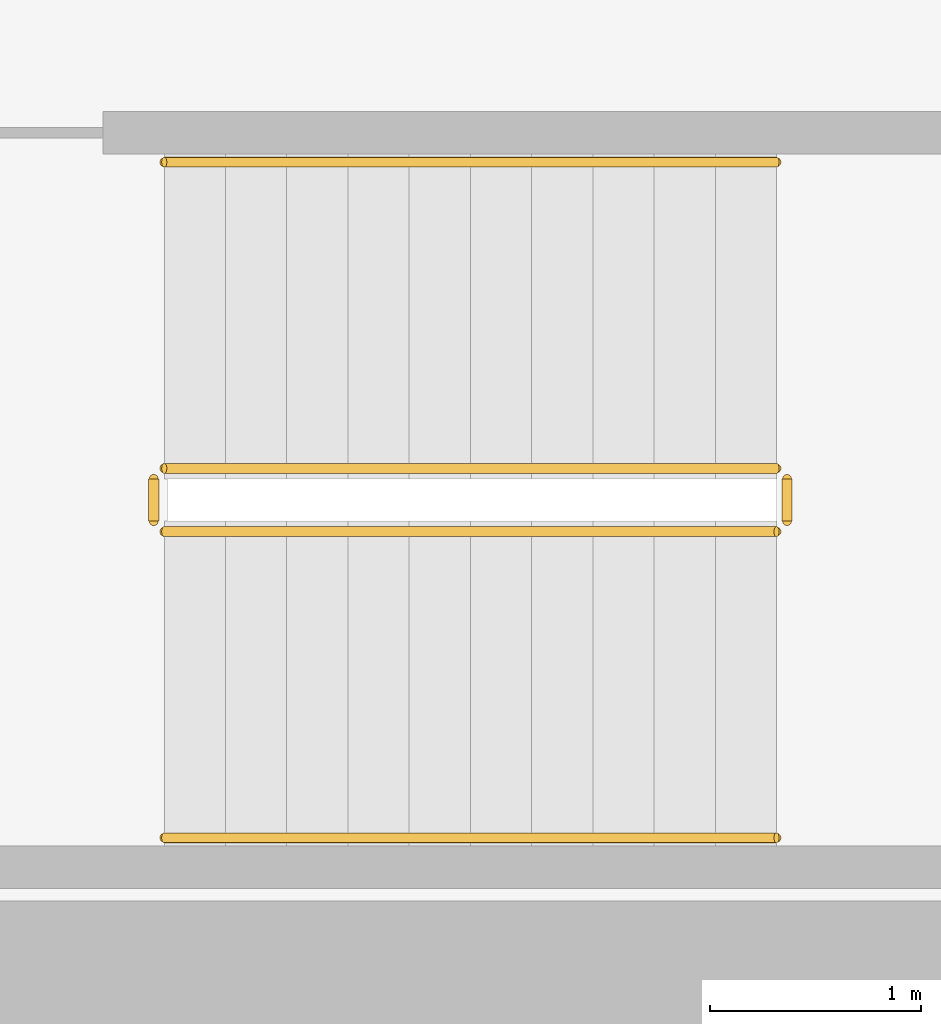
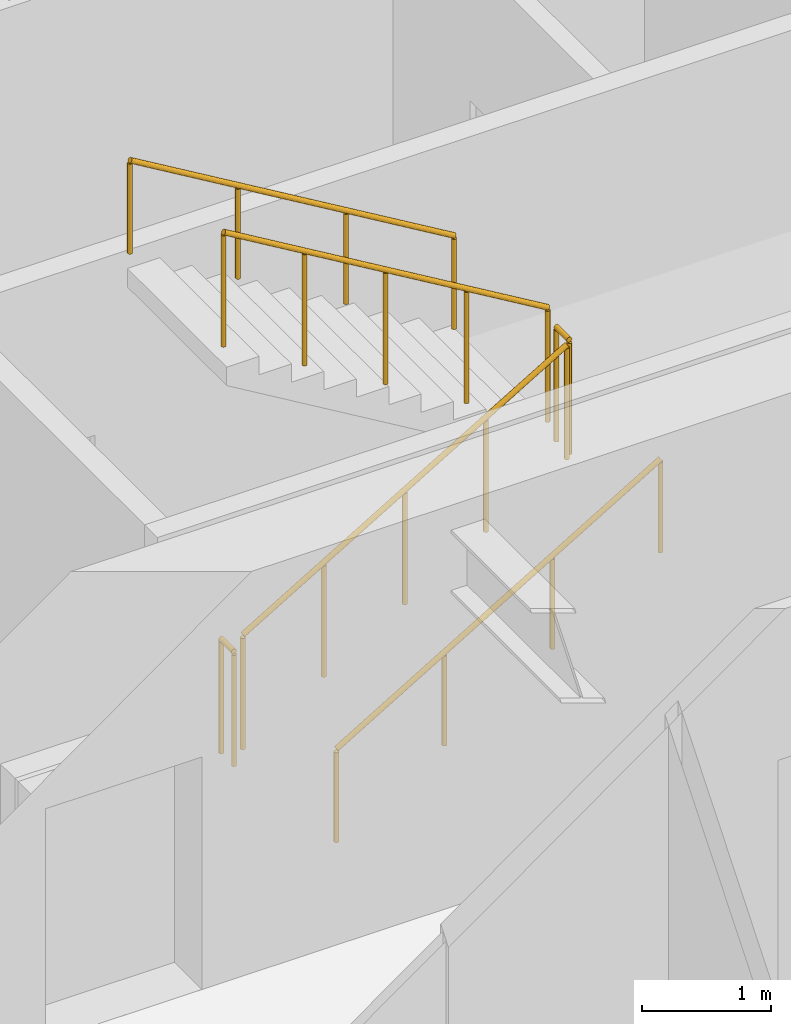
# One storey, part 19 of 20: 6 railings.
"""IFC4 building model written with IfcOpenShell, lengths in metres."""

from ifc_helpers import new_model, si_unit, direction, frame, origin, origin_2d, place, context, subcontext, project, spatial, circle, extrude, material, type_object, element, save


model = new_model("IFC4")

# Units and contexts
model_context = context("Model", 3, precision=1e-05, world=origin(), true_north=direction((0.0, 1.0)))
body_context = subcontext(model_context, "Body", "Model", "MODEL_VIEW")
ifc_project = project(units=[si_unit("LENGTHUNIT", "METRE"), si_unit("AREAUNIT", "SQUARE_METRE"), si_unit("VOLUMEUNIT", "CUBIC_METRE"), si_unit("PLANEANGLEUNIT", "RADIAN"), si_unit("MASSUNIT", "GRAM", prefix="KILO")], contexts=[model_context])

# Site, building, storey
site_placement = place(None, origin())
site = spatial("IfcSite", under=ifc_project, at=site_placement, CompositionType="ELEMENT")
building_placement = place(site_placement, origin())
building = spatial("IfcBuilding", under=site, at=building_placement, Name="Putna Gate Headquarters", CompositionType="ELEMENT")
storey_placement = place(building_placement, frame((0.0, 0.0, 93.60009765625)))
storey = spatial("IfcBuildingStorey", under=building, at=storey_placement, Name="L22", CompositionType="ELEMENT", Elevation=93.60009765625)

# Railings
ifc_material_1 = material(Name="Powder-coated steel stair guardrail", Category="steel")
railing_type_1 = type_object("IfcRailingType", Name="RAIL-STAIR-GUARD-1100", PredefinedType="GUARDRAIL", material=ifc_material_1)
railing_1_placement = place(storey_placement, frame((57.89990234375, 21.10009765625, 0.172607421875)))
element("IfcRailing", 1, at=railing_1_placement, inside=storey, type_object=railing_type_1, Name="L22 ST2 stair guard 1", PredefinedType="GUARDRAIL", context=body_context, shape_type="SweptSolid", body=[
    extrude(circle(Radius=0.02392578125, at=origin_2d()), frame((0.0, 0.0, 1.076171875), z_axis=(0.859160404282, 0.0, 0.51170636083), x_axis=(0.0, 1.0, 0.0)), (0.0, 0.0, 1.0), 3.37548828125),
    extrude(circle(Radius=0.02099609375, at=origin_2d()), origin(), (0.0, 0.0, 1.0), 1.052001953125),
    extrude(circle(Radius=0.02099609375, at=origin_2d()), frame((0.72509765625, 0.0, 0.431884765625)), (0.0, 0.0, 1.0), 1.052001953125),
    extrude(circle(Radius=0.02099609375, at=origin_2d()), frame((1.4501953125, 0.0, 0.86376953125)), (0.0, 0.0, 1.0), 1.052001953125),
    extrude(circle(Radius=0.02099609375, at=origin_2d()), frame((2.175048828125, 0.0, 1.29541015625)), (0.0, 0.0, 1.0), 1.052001953125),
    extrude(circle(Radius=0.02099609375, at=origin_2d()), frame((2.900146484375, 0.0, 1.727294921875)), (0.0, 0.0, 1.0), 1.052001953125),
])
railing_2_placement = place(storey_placement, frame((60.85009765625, 21.14990234375, 1.89990234375)))
element("IfcRailing", 2, at=railing_2_placement, inside=storey, type_object=railing_type_1, Name="L22 ST2 stair guard 2", PredefinedType="GUARDRAIL", context=body_context, shape_type="SweptSolid", body=[
    extrude(circle(Radius=0.02392578125, at=origin_2d()), frame((0.0, 0.0, 1.076171875), z_axis=(0.0, 1.0, 0.0), x_axis=(-1.0, 0.0, 0.0)), (0.0, 0.0, 1.0), 0.2001953125),
    extrude(circle(Radius=0.02099609375, at=origin_2d()), origin(), (0.0, 0.0, 1.0), 1.052001953125),
    extrude(circle(Radius=0.02099609375, at=origin_2d()), frame((0.0, 0.2001953125, 0.0)), (0.0, 0.0, 1.0), 1.052001953125),
])
railing_3_placement = place(storey_placement, frame((60.800048828125, 21.39990234375, 2.072509765625)))
element("IfcRailing", 3, at=railing_3_placement, inside=storey, type_object=railing_type_1, Name="L22 ST2 stair guard 3", PredefinedType="GUARDRAIL", context=body_context, shape_type="SweptSolid", body=[
    extrude(circle(Radius=0.02392578125, at=origin_2d()), frame((0.0, 0.0, 1.076171875), z_axis=(-0.859160404282, 0.0, 0.51170636083), x_axis=(0.0, -1.0, 0.0)), (0.0, 0.0, 1.0), 3.37548828125),
    extrude(circle(Radius=0.02099609375, at=origin_2d()), origin(), (0.0, 0.0, 1.0), 1.052001953125),
    extrude(circle(Radius=0.02099609375, at=origin_2d()), frame((-0.72509765625, 0.0, 0.431884765625)), (0.0, 0.0, 1.0), 1.052001953125),
    extrude(circle(Radius=0.02099609375, at=origin_2d()), frame((-1.4501953125, 0.0, 0.86376953125)), (0.0, 0.0, 1.0), 1.052001953125),
    extrude(circle(Radius=0.02099609375, at=origin_2d()), frame((-2.175048828125, 0.0, 1.29541015625)), (0.0, 0.0, 1.0), 1.052001953125),
    extrude(circle(Radius=0.02099609375, at=origin_2d()), frame((-2.900146484375, 0.0, 1.727294921875)), (0.0, 0.0, 1.0), 1.052001953125),
])
railing_4_placement = place(storey_placement, frame((57.85009765625, 21.14990234375, 0.0)))
element("IfcRailing", 4, at=railing_4_placement, inside=storey, type_object=railing_type_1, Name="L22 ST2 stair guard 4", PredefinedType="GUARDRAIL", context=body_context, shape_type="SweptSolid", body=[
    extrude(circle(Radius=0.02392578125, at=origin_2d()), frame((0.0, 0.0, 1.076171875), z_axis=(0.0, 1.0, 0.0), x_axis=(-1.0, 0.0, 0.0)), (0.0, 0.0, 1.0), 0.2001953125),
    extrude(circle(Radius=0.02099609375, at=origin_2d()), origin(), (0.0, 0.0, 1.0), 1.052001953125),
    extrude(circle(Radius=0.02099609375, at=origin_2d()), frame((0.0, 0.2001953125, 0.0)), (0.0, 0.0, 1.0), 1.052001953125),
])
ifc_material_2 = material(Name="Brushed stainless steel handrail", Category="steel")
railing_type_2 = type_object("IfcRailingType", Name="RAIL-STAIR-HAND-900", PredefinedType="HANDRAIL", material=ifc_material_2)
railing_5_placement = place(storey_placement, frame((57.89990234375, 19.64990234375, 0.172607421875)))
element("IfcRailing", 5, at=railing_5_placement, inside=storey, type_object=railing_type_2, Name="L22 ST2 stair handrail 1", PredefinedType="HANDRAIL", context=body_context, shape_type="SweptSolid", body=[
    extrude(circle(Radius=0.02392578125, at=origin_2d()), frame((0.0, 0.0, 0.8759765625), z_axis=(0.859160404282, 0.0, 0.51170636083), x_axis=(0.0, 1.0, 0.0)), (0.0, 0.0, 1.0), 3.37548828125),
    extrude(circle(Radius=0.02099609375, at=origin_2d()), origin(), (0.0, 0.0, 1.0), 0.851806640625),
    extrude(circle(Radius=0.02099609375, at=origin_2d()), frame((0.966796875, 0.0, 0.57568359375)), (0.0, 0.0, 1.0), 0.851806640625),
    extrude(circle(Radius=0.02099609375, at=origin_2d()), frame((1.933349609375, 0.0, 1.151611328125)), (0.0, 0.0, 1.0), 0.851806640625),
    extrude(circle(Radius=0.02099609375, at=origin_2d()), frame((2.900146484375, 0.0, 1.727294921875)), (0.0, 0.0, 1.0), 0.851806640625),
])
railing_6_placement = place(storey_placement, frame((60.800048828125, 22.85009765625, 2.072509765625)))
element("IfcRailing", 6, at=railing_6_placement, inside=storey, type_object=railing_type_2, Name="L22 ST2 stair handrail 2", PredefinedType="HANDRAIL", context=body_context, shape_type="SweptSolid", body=[
    extrude(circle(Radius=0.02392578125, at=origin_2d()), frame((0.0, 0.0, 0.8759765625), z_axis=(-0.859160404282, 0.0, 0.51170636083), x_axis=(0.0, -1.0, 0.0)), (0.0, 0.0, 1.0), 3.37548828125),
    extrude(circle(Radius=0.02099609375, at=origin_2d()), origin(), (0.0, 0.0, 1.0), 0.851806640625),
    extrude(circle(Radius=0.02099609375, at=origin_2d()), frame((-0.966796875, 0.0, 0.57568359375)), (0.0, 0.0, 1.0), 0.851806640625),
    extrude(circle(Radius=0.02099609375, at=origin_2d()), frame((-1.933349609375, 0.0, 1.151611328125)), (0.0, 0.0, 1.0), 0.851806640625),
    extrude(circle(Radius=0.02099609375, at=origin_2d()), frame((-2.900146484375, 0.0, 1.727294921875)), (0.0, 0.0, 1.0), 0.851806640625),
])

save(model, "model.ifc")
